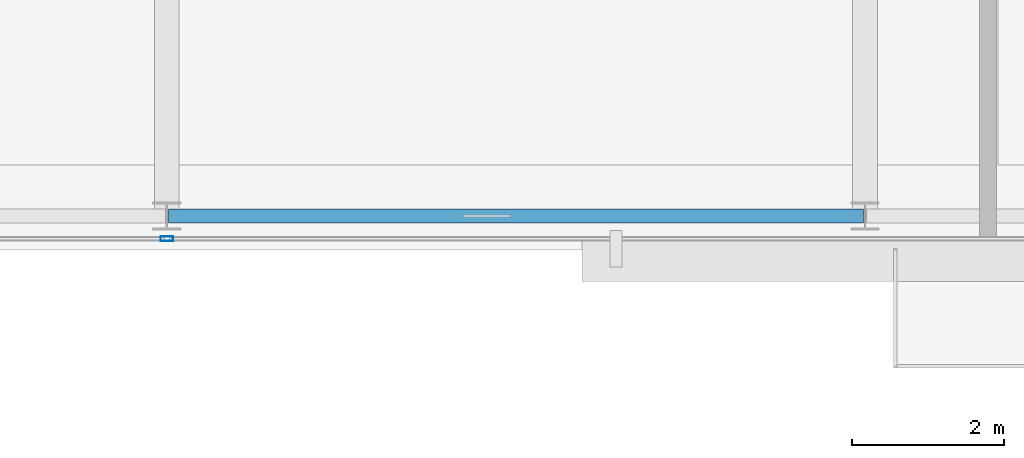
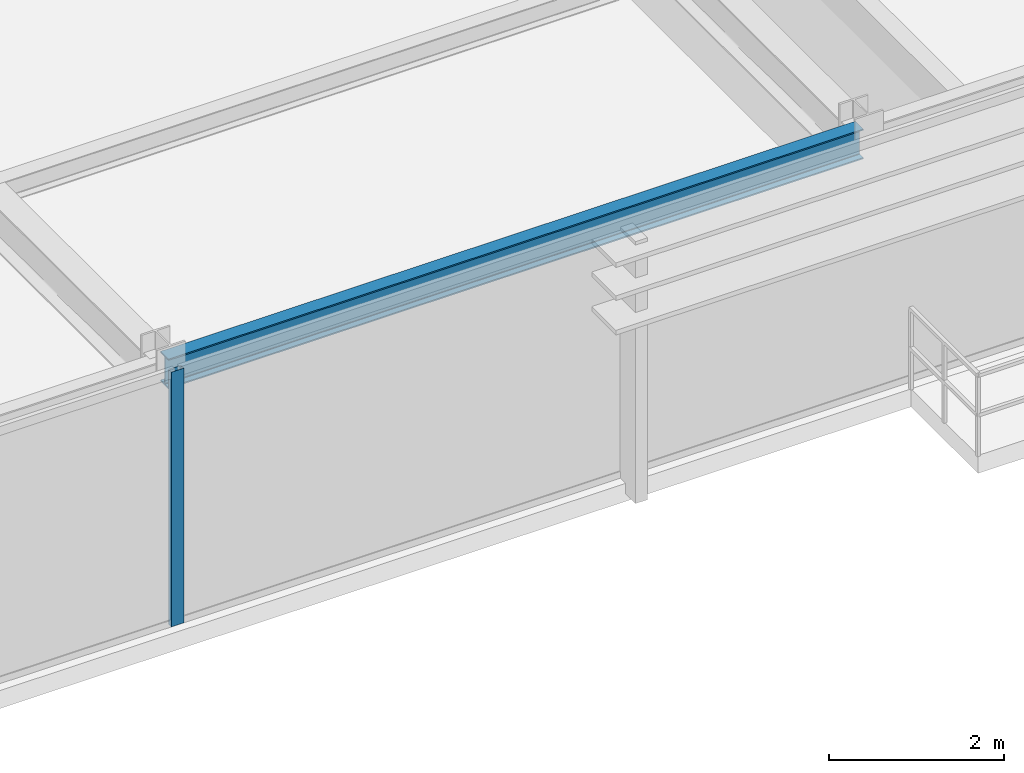
# One storey, part 8 of 31: 1 beam, 1 member, 1 element without a shape of its own.
"""IFC4 building model written with IfcOpenShell, lengths in metres."""

from ifc_helpers import new_model, si_unit, direction, frame, origin, origin_2d, place, context, subcontext, project, spatial, hollow_rectangle, i_section, extrude, source, transform, mapped, material, layer, layer_set, material_profile, profile_set, type_object, type_shapes, element, aggregate, save


model = new_model("IFC4")

# Units and contexts
model_context = context("Model", 3, precision=1e-05, world=origin(), true_north=direction((0.0, 1.0)))
body_context = subcontext(model_context, "Body", "Model", "MODEL_VIEW")
ifc_project = project(units=[si_unit("LENGTHUNIT", "METRE"), si_unit("AREAUNIT", "SQUARE_METRE"), si_unit("VOLUMEUNIT", "CUBIC_METRE"), si_unit("PLANEANGLEUNIT", "RADIAN"), si_unit("MASSUNIT", "GRAM", prefix="KILO")], contexts=[model_context])

# Site, building, storey
site_placement = place(None, origin())
site = spatial("IfcSite", under=ifc_project, at=site_placement, CompositionType="ELEMENT")
building_placement = place(site_placement, origin())
building = spatial("IfcBuilding", under=site, at=building_placement, Name="Varnel Quay Broadcast Tower", CompositionType="ELEMENT")
storey_placement = place(building_placement, frame((0.0, 0.0, 153.39990234375)))
storey = spatial("IfcBuildingStorey", under=building, at=storey_placement, Name="L37", CompositionType="ELEMENT", Elevation=153.39990234375)

# Beam
ifc_material_1 = material(Name="Structural Steel CSA G40.21 350W", Category="steel")
ifc_material_profile_1 = material_profile(ifc_material_1, i_section(OverallWidth=0.180908203125, OverallDepth=0.4169921875, WebThickness=0.010986328125, FlangeThickness=0.018310546875, FilletRadius=0.011962890625, at=origin_2d()), Name="W410X85")
ifc_profile_set_1 = profile_set([ifc_material_profile_1], Name="Structural Steel CSA G40.21 350W")
beam_type = type_object("IfcBeamType", Name="Beam_W410X85", PredefinedType="SPANDREL", material=ifc_profile_set_1)
shared_shape_1 = source(origin(), body_context, "Body", "SweptSolid", [
    extrude(i_section(OverallWidth=0.180908203125, OverallDepth=0.4169921875, WebThickness=0.010986328125, FlangeThickness=0.018310546875, FilletRadius=0.011962890625, at=origin_2d()), origin(), (0.0, 0.0, 1.0), 9.159912109375),
])
type_shapes(beam_type, [shared_shape_1])
beam_placement = place(storey_placement, frame((34.02001953125, 7.64990234375, 3.341552734375), z_axis=(1.0, 0.0, 0.0), x_axis=(0.0, 1.0, 0.0)))
element("IfcBeam", 1, at=beam_placement, inside=storey, type_object=beam_type, Name="L37 South Spandrel TC-S3-TC-S4", PredefinedType="SPANDREL", context=body_context, shape_type="MappedRepresentation", body=[
    mapped(shared_shape_1, transform((0.0, 0.0, 0.0), x_axis=(1.0, 0.0, 0.0), y_axis=(0.0, 1.0, 0.0), z_axis=(0.0, 0.0, 1.0), scale=1.0)),
])

# Curtain wall, member
ifc_material_2 = material(Name="Anodised Bronze Aluminium 6063-T6", Category="aluminium")
ifc_layer = layer(ifc_material_2, 0.18994140625, Name="Anodised Bronze Aluminium 6063-T6")
ifc_layer_set = layer_set([ifc_layer], Name="Anodised Bronze Aluminium 6063-T6")
curtain_wall_type = type_object("IfcCurtainWallType", Name="CW_UpperTower", PredefinedType="NOTDEFINED", material=ifc_layer_set)
curtain_wall_placement = place(storey_placement, origin())
curtain_wall = element("IfcCurtainWall", 2, at=curtain_wall_placement, inside=storey, type_object=curtain_wall_type, Name="L37 South Unitised Curtain Wall 2", PredefinedType="NOTDEFINED")
ifc_material_profile_2 = material_profile(ifc_material_2, hollow_rectangle(XDim=0.06494140625, YDim=0.1650390625, WallThickness=0.00341796875, at=origin_2d()), Name="ALU65X165X3.5")
ifc_profile_set_2 = profile_set([ifc_material_profile_2], Name="Anodised Bronze Aluminium 6063-T6")
member_type = type_object("IfcMemberType", Name="Mull_CWS-03", PredefinedType="MULLION", material=ifc_profile_set_2)
shared_shape_2 = source(origin(), body_context, "Body", "SweptSolid", [
    extrude(hollow_rectangle(XDim=0.06494140625, YDim=0.1650390625, WallThickness=0.00341796875, at=origin_2d()), origin(), (0.0, 0.0, 1.0), 3.550048828125),
])
type_shapes(member_type, [shared_shape_2])
member_placement = place(storey_placement, frame((34.0, 7.35009765625, 0.0), z_axis=(0.0, 0.0, 1.0), x_axis=(0.0, 1.0, 0.0)))
member = element("IfcMember", 3, at=member_placement, type_object=member_type, Name="CWS-03 mullion 2", PredefinedType="MULLION", context=body_context, shape_type="MappedRepresentation", body=[
    mapped(shared_shape_2, transform((0.0, 0.0, 0.0), x_axis=(1.0, 0.0, 0.0), y_axis=(0.0, 1.0, 0.0), z_axis=(0.0, 0.0, 1.0), scale=1.0)),
])
aggregate(curtain_wall, [member])

save(model, "model.ifc")
